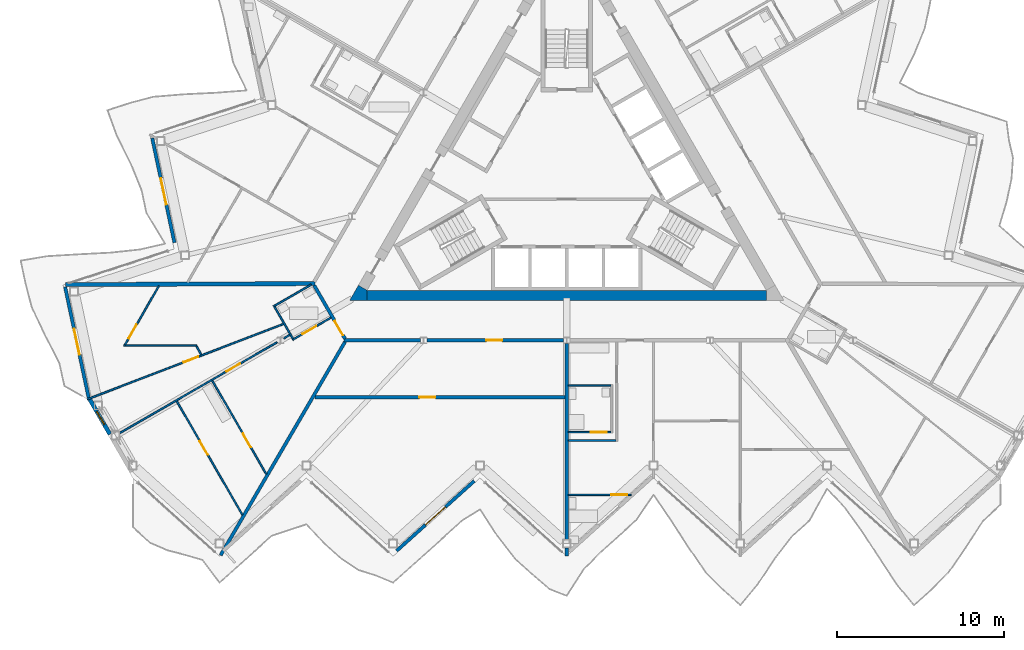
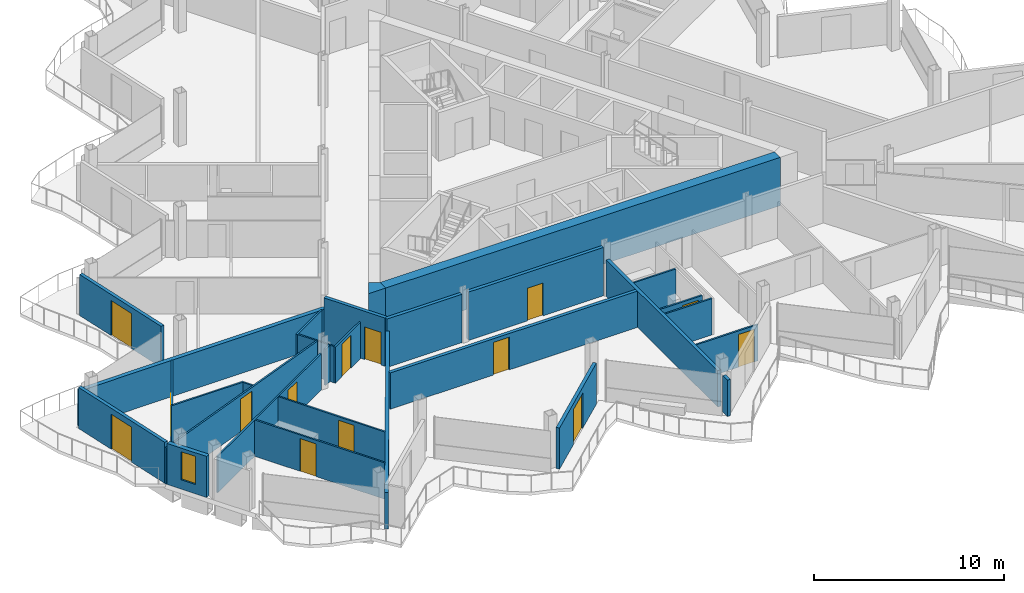
# One storey, part 13 of 27: 29 walls, 14 doors, 1 window, 15 openings.
"""IFC4 building model written with IfcOpenShell, lengths in metres."""

from ifc_helpers import new_model, si_unit, direction, frame, frame_2d, origin, place, context, subcontext, project, spatial, polyline, rectangle, outline, extrude, material, layer, layer_set, type_object, element, fill, save


model = new_model("IFC4")

# Units and contexts
model_context = context("Model", 3, precision=1e-05, world=origin(), true_north=direction((0.0, 1.0)))
body_context = subcontext(model_context, "Body", "Model", "MODEL_VIEW")
ifc_project = project(units=[si_unit("LENGTHUNIT", "METRE"), si_unit("AREAUNIT", "SQUARE_METRE"), si_unit("VOLUMEUNIT", "CUBIC_METRE"), si_unit("PLANEANGLEUNIT", "RADIAN"), si_unit("MASSUNIT", "GRAM", prefix="KILO")], contexts=[model_context])

# Site, building, storey
site_placement = place(None, origin())
site = spatial("IfcSite", under=ifc_project, at=site_placement, CompositionType="ELEMENT")
building_placement = place(site_placement, origin())
building = spatial("IfcBuilding", under=site, at=building_placement, Name="Cormorant Prow Tower", CompositionType="ELEMENT")
storey_placement = place(building_placement, frame((0.0, 0.0, 361.0)))
storey = spatial("IfcBuildingStorey", under=building, at=storey_placement, Name="L80", CompositionType="ELEMENT", Elevation=361.0)

# Walls
ifc_material_1 = material(Name="Concrete 8000 psi", Category="concrete")
ifc_layer_1 = layer(ifc_material_1, 0.60009765625)
ifc_layer_set_1 = layer_set([ifc_layer_1], Name="Concrete 8000 psi")
wall_type_1 = type_object("IfcWallType", Name="Core shear wall 600", PredefinedType="SHEAR", material=ifc_layer_set_1)
wall_1_placement = place(storey_placement, frame((-11.960693359375, -7.20556640625, 0.0), z_axis=(0.0, 0.0, 1.0), x_axis=(1.0, 0.0, 0.0)))
element("IfcWall", 1, at=wall_1_placement, inside=storey, type_object=wall_type_1, Name="Core wall", PredefinedType="SHEAR", context=body_context, shape_type="SweptSolid", body=[
    extrude(rectangle(XDim=23.92138671875, YDim=0.60009765625, at=frame_2d((11.960693359375, 0.0))), origin(), (0.0, 0.0, 1.0), 3.10009765625),
])
wall_2_placement = place(storey_placement, origin())
element("IfcWall", 2, at=wall_2_placement, inside=storey, type_object=wall_type_1, Name="Core wall corner", PredefinedType="SHEAR", context=body_context, shape_type="SweptSolid", body=[
    extrude(outline(polyline([(-12.48046875, -6.605712890625), (-11.960693359375, -6.905517578125), (-11.960693359375, -7.505615234375), (-13.0, -7.505615234375), (-12.48046875, -6.605712890625)])), origin(), (0.0, 0.0, 1.0), 3.10009765625),
])

# Wall, opening, door
ifc_material_2 = material(Name="Gypsum board corridor wall")
ifc_layer_2 = layer(ifc_material_2, 0.199951171875)
ifc_layer_set_2 = layer_set([ifc_layer_2], Name="Gypsum board corridor wall")
wall_type_2 = type_object("IfcWallType", Name="Corridor wall 200", PredefinedType="PARTITIONING", material=ifc_layer_set_2)
wall_3_placement = place(storey_placement, frame((-8.381591796875, -9.905517578125, 0.0), z_axis=(0.0, 0.0, 1.0), x_axis=(1.0, 0.0, 0.0)))
wall_3 = element("IfcWall", 3, at=wall_3_placement, inside=storey, type_object=wall_type_2, Name="Corridor wall", PredefinedType="PARTITIONING", context=body_context, shape_type="SweptSolid", body=[
    extrude(rectangle(XDim=8.1845703125, YDim=0.199951171875, at=frame_2d((4.09228515625, 0.0))), origin(), (0.0, 0.0, 1.0), 3.10009765625),
])
opening_1_placement = place(wall_3_placement, frame((3.56689453125, 0.0, 0.0)))
opening_1 = element("IfcOpeningElement", 4, at=opening_1_placement, cuts=wall_3, Name="Opening L80-F01", PredefinedType="OPENING", context=body_context, shape_type="SweptSolid", body=[
    extrude(rectangle(XDim=0.949951171875, YDim=2.10009765625, at=frame_2d((0.47509765625, 1.050048828125))), frame((0.0, 0.10986328125, 0.0), z_axis=(0.0, -1.0, 0.0), x_axis=(1.0, 0.0, 0.0)), (0.0, 0.0, 1.0), 0.219970703125),
])
ifc_material_3 = material(Name="Timber door leaf", Category="wood")
door_type_1 = type_object("IfcDoorType", Name="Store door 950x2100", OperationType="NOTDEFINED", PredefinedType="DOOR", material=ifc_material_3)
door_1_placement = place(opening_1_placement, origin())
door_1 = element("IfcDoor", 5, at=door_1_placement, inside=storey, type_object=door_type_1, Name="Refuse room door", OperationType="SINGLE_SWING_LEFT", OverallHeight=2.10009765625, OverallWidth=0.949951171875, PredefinedType="DOOR", context=body_context, shape_type="SweptSolid", body=[
    extrude(rectangle(XDim=0.949951171875, YDim=2.10009765625, at=frame_2d((0.47509765625, 1.050048828125))), frame((0.0, 0.02490234375, 0.0), z_axis=(0.0, -1.0, 0.0), x_axis=(1.0, 0.0, 0.0)), (0.0, 0.0, 1.0), 0.050048828125),
])
fill(opening_1, door_1)

# Wall
wall_4_placement = place(storey_placement, frame((-13.330810546875, -9.905517578125, 0.0), z_axis=(0.0, 0.0, 1.0), x_axis=(1.0, 0.0, 0.0)))
element("IfcWall", 6, at=wall_4_placement, inside=storey, type_object=wall_type_2, Name="Corridor wall", PredefinedType="PARTITIONING", context=body_context, shape_type="SweptSolid", body=[
    extrude(rectangle(XDim=4.555419921875, YDim=0.199951171875, at=frame_2d((2.27783203125, 0.0))), origin(), (0.0, 0.0, 1.0), 3.10009765625),
])

# Wall, opening, door
wall_5_placement = place(storey_placement, frame((-15.13134765625, -6.61376953125, 0.0), z_axis=(0.0, 0.0, 1.0), x_axis=(0.499948957823, -0.866054870994, 0.0)))
wall_5 = element("IfcWall", 7, at=wall_5_placement, inside=storey, type_object=wall_type_2, Name="Corridor wall", PredefinedType="PARTITIONING", context=body_context, shape_type="SweptSolid", body=[
    extrude(rectangle(XDim=3.701171875, YDim=0.199951171875, at=frame_2d((1.8505859375, 0.0))), origin(), (0.0, 0.0, 1.0), 3.10009765625),
])
opening_2_placement = place(wall_5_placement, frame((2.450927734375, 0.0, 0.0)))
opening_2 = element("IfcOpeningElement", 8, at=opening_2_placement, cuts=wall_5, Name="Opening L80-F45", PredefinedType="OPENING", context=body_context, shape_type="SweptSolid", body=[
    extrude(rectangle(XDim=1.0, YDim=2.10009765625, at=frame_2d((0.5, 1.050048828125))), frame((0.0, 0.10986328125, 0.0), z_axis=(0.0, -1.0, 0.0), x_axis=(1.0, 0.0, 0.0)), (0.0, 0.0, 1.0), 0.219970703125),
])
ifc_material_4 = material(Name="Timber door leaf", Category="wood")
door_type_2 = type_object("IfcDoorType", Name="Flat or room entrance door 1000x2100", OperationType="NOTDEFINED", PredefinedType="DOOR", material=ifc_material_4)
door_2_placement = place(opening_2_placement, origin())
door_2 = element("IfcDoor", 9, at=door_2_placement, inside=storey, type_object=door_type_2, Name="Living room door", OperationType="SINGLE_SWING_RIGHT", OverallHeight=2.10009765625, OverallWidth=1.0, PredefinedType="DOOR", context=body_context, shape_type="SweptSolid", body=[
    extrude(rectangle(XDim=1.0, YDim=2.10009765625, at=frame_2d((0.5, 1.050048828125))), frame((0.0, 0.02490234375, 0.0), z_axis=(0.0, -1.0, 0.0), x_axis=(1.0, 0.0, 0.0)), (0.0, 0.0, 1.0), 0.050048828125),
])
fill(opening_2, door_2)

ifc_material_5 = material(Name="Gypsum board demising wall")
ifc_layer_3 = layer(ifc_material_5, 0.199951171875)
ifc_layer_set_3 = layer_set([ifc_layer_3], Name="Gypsum board demising wall")
wall_type_3 = type_object("IfcWallType", Name="Demising wall 200", PredefinedType="PARTITIONING", material=ifc_layer_set_3)
wall_6_placement = place(storey_placement, frame((-15.093994140625, -13.3056640625, 0.0), z_axis=(0.0, 0.0, 1.0), x_axis=(1.0, 0.0, 0.0)))
wall_6 = element("IfcWall", 10, at=wall_6_placement, inside=storey, type_object=wall_type_3, Name="Demising wall", PredefinedType="PARTITIONING", context=body_context, shape_type="SweptSolid", body=[
    extrude(rectangle(XDim=14.993896484375, YDim=0.199951171875, at=frame_2d((7.4970703125, 0.0))), origin(), (0.0, 0.0, 1.0), 2.330078125),
])
opening_3_placement = place(wall_6_placement, frame((6.26953125, 0.0, 0.0)))
opening_3 = element("IfcOpeningElement", 11, at=opening_3_placement, cuts=wall_6, Name="Opening L80-F02", PredefinedType="OPENING", context=body_context, shape_type="SweptSolid", body=[
    extrude(rectangle(XDim=0.949951171875, YDim=2.10009765625, at=frame_2d((0.47509765625, 1.050048828125))), frame((0.0, 0.10986328125, 0.0), z_axis=(0.0, -1.0, 0.0), x_axis=(1.0, 0.0, 0.0)), (0.0, 0.0, 1.0), 0.219970703125),
])
door_3_placement = place(opening_3_placement, origin())
door_3 = element("IfcDoor", 12, at=door_3_placement, inside=storey, type_object=door_type_1, Name="Bicycle store door", OperationType="SINGLE_SWING_LEFT", OverallHeight=2.10009765625, OverallWidth=0.949951171875, PredefinedType="DOOR", context=body_context, shape_type="SweptSolid", body=[
    extrude(rectangle(XDim=0.949951171875, YDim=2.10009765625, at=frame_2d((0.47509765625, 1.050048828125))), frame((0.0, 0.02490234375, 0.0), z_axis=(0.0, -1.0, 0.0), x_axis=(1.0, 0.0, 0.0)), (0.0, 0.0, 1.0), 0.050048828125),
])
fill(opening_3, door_3)

# Walls
wall_7_placement = place(storey_placement, frame((-20.738525390625, -22.7841796875, 0.0), z_axis=(0.0, 0.0, 1.0), x_axis=(0.50362599185, 0.863921790635, 0.0)))
element("IfcWall", 13, at=wall_7_placement, inside=storey, type_object=wall_type_3, Name="Demising wall", PredefinedType="PARTITIONING", context=body_context, shape_type="SweptSolid", body=[
    extrude(rectangle(XDim=14.80712890625, YDim=0.199951171875, at=frame_2d((7.403564453125, 0.0))), origin(), (0.0, 0.0, 1.0), 2.330078125),
])
wall_8_placement = place(storey_placement, frame((0.0, -21.827880859375, 0.0), z_axis=(0.0, 0.0, 1.0), x_axis=(0.0, 1.0, 0.0)))
element("IfcWall", 14, at=wall_8_placement, inside=storey, type_object=wall_type_3, Name="Demising wall", PredefinedType="PARTITIONING", context=body_context, shape_type="SweptSolid", body=[
    extrude(rectangle(XDim=11.725341796875, YDim=0.199951171875, at=frame_2d((5.86279296875, 0.0))), origin(), (0.0, 0.0, 1.0), 2.330078125),
])
wall_9_placement = place(storey_placement, frame((0.0, -22.83935546875, 0.0), z_axis=(0.0, 0.0, 1.0), x_axis=(0.0, 1.0, 0.0)))
element("IfcWall", 15, at=wall_9_placement, inside=storey, type_object=wall_type_3, Name="Demising wall", PredefinedType="PARTITIONING", context=body_context, shape_type="SweptSolid", body=[
    extrude(rectangle(XDim=0.491455078125, YDim=0.199951171875, at=frame_2d((0.24560546875, 0.0))), origin(), (0.0, 0.0, 1.0), 2.330078125),
])

# Wall, opening, door
ifc_material_6 = material(Name="Gypsum board partition")
ifc_layer_4 = layer(ifc_material_6, 0.10009765625)
ifc_layer_set_4 = layer_set([ifc_layer_4], Name="Gypsum board partition")
wall_type_4 = type_object("IfcWallType", Name="Internal partition 100", PredefinedType="PARTITIONING", material=ifc_layer_set_4)
wall_10_placement = place(storey_placement, frame((-28.724609375, -13.43798828125, 0.0), z_axis=(0.0, 0.0, 1.0), x_axis=(0.933580312145, 0.358368247444, 0.0)))
wall_10 = element("IfcWall", 16, at=wall_10_placement, inside=storey, type_object=wall_type_4, Name="Internal partition", PredefinedType="PARTITIONING", context=body_context, shape_type="SweptSolid", body=[
    extrude(rectangle(XDim=12.589599609375, YDim=0.10009765625, at=frame_2d((6.294921875, 0.0))), origin(), (0.0, 0.0, 1.0), 2.330078125),
])
opening_4_placement = place(wall_10_placement, frame((6.171142578125, 0.0, 0.0)))
opening_4 = element("IfcOpeningElement", 17, at=opening_4_placement, cuts=wall_10, Name="Opening L80-F50", PredefinedType="OPENING", context=body_context, shape_type="SweptSolid", body=[
    extrude(rectangle(XDim=0.949951171875, YDim=2.10009765625, at=frame_2d((0.47509765625, 1.050048828125))), frame((0.0, 0.06005859375, 0.0), z_axis=(0.0, -1.0, 0.0), x_axis=(1.0, 0.0, 0.0)), (0.0, 0.0, 1.0), 0.1201171875),
])
ifc_material_7 = material(Name="Timber door leaf", Category="wood")
door_type_3 = type_object("IfcDoorType", Name="Bathroom door 950x2100", OperationType="NOTDEFINED", PredefinedType="DOOR", material=ifc_material_7)
door_4_placement = place(opening_4_placement, origin())
door_4 = element("IfcDoor", 18, at=door_4_placement, inside=storey, type_object=door_type_3, Name="Bedroom door", OperationType="SINGLE_SWING_RIGHT", OverallHeight=2.10009765625, OverallWidth=0.949951171875, PredefinedType="DOOR", context=body_context, shape_type="SweptSolid", body=[
    extrude(rectangle(XDim=0.949951171875, YDim=2.10009765625, at=frame_2d((0.47509765625, 1.050048828125))), frame((0.0, 0.02490234375, 0.0), z_axis=(0.0, -1.0, 0.0), x_axis=(1.0, 0.0, 0.0)), (0.0, 0.0, 1.0), 0.050048828125),
])
fill(opening_4, door_4)

wall_11_placement = place(storey_placement, frame((-26.77685546875, -15.459716796875, 0.0), z_axis=(0.0, 0.0, 1.0), x_axis=(0.866019680922, 0.500009912158, 0.0)))
wall_11 = element("IfcWall", 19, at=wall_11_placement, inside=storey, type_object=wall_type_4, Name="Internal partition", PredefinedType="PARTITIONING", context=body_context, shape_type="SweptSolid", body=[
    extrude(rectangle(XDim=10.880615234375, YDim=0.10009765625, at=frame_2d((5.4404296875, 0.0))), origin(), (0.0, 0.0, 1.0), 2.330078125),
])
opening_5_placement = place(wall_11_placement, frame((7.373291015625, 0.0, 0.0)))
opening_5 = element("IfcOpeningElement", 20, at=opening_5_placement, cuts=wall_11, Name="Opening L80-F49", PredefinedType="OPENING", context=body_context, shape_type="SweptSolid", body=[
    extrude(rectangle(XDim=0.949951171875, YDim=2.10009765625, at=frame_2d((0.47509765625, 1.050048828125))), frame((0.0, 0.06005859375, 0.0), z_axis=(0.0, -1.0, 0.0), x_axis=(1.0, 0.0, 0.0)), (0.0, 0.0, 1.0), 0.1201171875),
])
door_5_placement = place(opening_5_placement, origin())
door_5 = element("IfcDoor", 21, at=door_5_placement, inside=storey, type_object=door_type_3, Name="Living room door", OperationType="SINGLE_SWING_LEFT", OverallHeight=2.10009765625, OverallWidth=0.949951171875, PredefinedType="DOOR", context=body_context, shape_type="SweptSolid", body=[
    extrude(rectangle(XDim=0.949951171875, YDim=2.10009765625, at=frame_2d((0.47509765625, 1.050048828125))), frame((0.0, 0.02490234375, 0.0), z_axis=(0.0, -1.0, 0.0), x_axis=(1.0, 0.0, 0.0)), (0.0, 0.0, 1.0), 0.050048828125),
])
fill(opening_5, door_5)

wall_12_placement = place(storey_placement, frame((-23.365234375, -13.547607421875, 0.0), z_axis=(0.0, 0.0, 1.0), x_axis=(0.500011483804, -0.866018773506, 0.0)))
wall_12 = element("IfcWall", 22, at=wall_12_placement, inside=storey, type_object=wall_type_4, Name="Internal partition", PredefinedType="PARTITIONING", context=body_context, shape_type="SweptSolid", body=[
    extrude(rectangle(XDim=7.872314453125, YDim=0.10009765625, at=frame_2d((3.93603515625, 0.0))), origin(), (0.0, 0.0, 1.0), 2.330078125),
])
opening_6_placement = place(wall_12_placement, frame((2.7587890625, 0.0, 0.0)))
opening_6 = element("IfcOpeningElement", 23, at=opening_6_placement, cuts=wall_12, Name="Opening L80-F48", PredefinedType="OPENING", context=body_context, shape_type="SweptSolid", body=[
    extrude(rectangle(XDim=0.949951171875, YDim=2.10009765625, at=frame_2d((0.47509765625, 1.050048828125))), frame((0.0, 0.06005859375, 0.0), z_axis=(0.0, -1.0, 0.0), x_axis=(1.0, 0.0, 0.0)), (0.0, 0.0, 1.0), 0.1201171875),
])
door_6_placement = place(opening_6_placement, origin())
door_6 = element("IfcDoor", 24, at=door_6_placement, inside=storey, type_object=door_type_3, Name="Kitchen door", OperationType="SINGLE_SWING_RIGHT", OverallHeight=2.10009765625, OverallWidth=0.949951171875, PredefinedType="DOOR", context=body_context, shape_type="SweptSolid", body=[
    extrude(rectangle(XDim=0.949951171875, YDim=2.10009765625, at=frame_2d((0.47509765625, 1.050048828125))), frame((0.0, 0.02490234375, 0.0), z_axis=(0.0, -1.0, 0.0), x_axis=(1.0, 0.0, 0.0)), (0.0, 0.0, 1.0), 0.050048828125),
])
fill(opening_6, door_6)

wall_13_placement = place(storey_placement, frame((-21.2353515625, -12.318115234375, 0.0), z_axis=(0.0, 0.0, 1.0), x_axis=(0.500008973052, -0.866020223129, 0.0)))
wall_13 = element("IfcWall", 25, at=wall_13_placement, inside=storey, type_object=wall_type_4, Name="Internal partition", PredefinedType="PARTITIONING", context=body_context, shape_type="SweptSolid", body=[
    extrude(rectangle(XDim=6.46630859375, YDim=0.10009765625, at=frame_2d((3.233154296875, 0.0))), origin(), (0.0, 0.0, 1.0), 2.330078125),
])
opening_7_placement = place(wall_13_placement, frame((3.6611328125, 0.0, 0.0)))
opening_7 = element("IfcOpeningElement", 26, at=opening_7_placement, cuts=wall_13, Name="Opening L80-F47", PredefinedType="OPENING", context=body_context, shape_type="SweptSolid", body=[
    extrude(rectangle(XDim=0.949951171875, YDim=2.10009765625, at=frame_2d((0.47509765625, 1.050048828125))), frame((0.0, 0.06005859375, 0.0), z_axis=(0.0, -1.0, 0.0), x_axis=(1.0, 0.0, 0.0)), (0.0, 0.0, 1.0), 0.1201171875),
])
door_7_placement = place(opening_7_placement, origin())
door_7 = element("IfcDoor", 27, at=door_7_placement, inside=storey, type_object=door_type_3, Name="Living room door", OperationType="SINGLE_SWING_LEFT", OverallHeight=2.10009765625, OverallWidth=0.949951171875, PredefinedType="DOOR", context=body_context, shape_type="SweptSolid", body=[
    extrude(rectangle(XDim=0.949951171875, YDim=2.10009765625, at=frame_2d((0.47509765625, 1.050048828125))), frame((0.0, 0.02490234375, 0.0), z_axis=(0.0, -1.0, 0.0), x_axis=(1.0, 0.0, 0.0)), (0.0, 0.0, 1.0), 0.050048828125),
])
fill(opening_7, door_7)

# Wall
wall_14_placement = place(storey_placement, frame((-26.548583984375, -10.2216796875, 0.0), z_axis=(0.0, 0.0, 1.0), x_axis=(1.0, 0.0, 0.0)))
element("IfcWall", 28, at=wall_14_placement, inside=storey, type_object=wall_type_4, Name="Internal partition", PredefinedType="PARTITIONING", context=body_context, shape_type="SweptSolid", body=[
    extrude(rectangle(XDim=4.390869140625, YDim=0.10009765625, at=frame_2d((2.1953125, 0.0))), origin(), (0.0, 0.0, 1.0), 2.330078125),
])

# Wall, opening, door
wall_15_placement = place(storey_placement, frame((-26.4736328125, -10.17822265625, 0.0), z_axis=(0.0, 0.0, 1.0), x_axis=(0.499995835917, 0.866027807905, 0.0)))
wall_15 = element("IfcWall", 29, at=wall_15_placement, inside=storey, type_object=wall_type_4, Name="Internal partition", PredefinedType="PARTITIONING", context=body_context, shape_type="SweptSolid", body=[
    extrude(rectangle(XDim=4.0712890625, YDim=0.10009765625, at=frame_2d((2.03564453125, 0.0))), origin(), (0.0, 0.0, 1.0), 2.330078125),
])
opening_8_placement = place(wall_15_placement, frame((0.45166015625, 0.0, 0.0)))
opening_8 = element("IfcOpeningElement", 30, at=opening_8_placement, cuts=wall_15, Name="Opening L80-F51", PredefinedType="OPENING", context=body_context, shape_type="SweptSolid", body=[
    extrude(rectangle(XDim=0.949951171875, YDim=2.10009765625, at=frame_2d((0.47509765625, 1.050048828125))), frame((0.0, 0.06005859375, 0.0), z_axis=(0.0, -1.0, 0.0), x_axis=(1.0, 0.0, 0.0)), (0.0, 0.0, 1.0), 0.1201171875),
])
door_8_placement = place(opening_8_placement, origin())
door_8 = element("IfcDoor", 31, at=door_8_placement, inside=storey, type_object=door_type_3, Name="Bedroom door", OperationType="SINGLE_SWING_LEFT", OverallHeight=2.10009765625, OverallWidth=0.949951171875, PredefinedType="DOOR", context=body_context, shape_type="SweptSolid", body=[
    extrude(rectangle(XDim=0.949951171875, YDim=2.10009765625, at=frame_2d((0.47509765625, 1.050048828125))), frame((0.0, 0.02490234375, 0.0), z_axis=(0.0, -1.0, 0.0), x_axis=(1.0, 0.0, 0.0)), (0.0, 0.0, 1.0), 0.050048828125),
])
fill(opening_8, door_8)

wall_16_placement = place(storey_placement, frame((0.10009765625, -19.164306640625, 0.0), z_axis=(0.0, 0.0, 1.0), x_axis=(1.0, 0.0, 0.0)))
wall_16 = element("IfcWall", 32, at=wall_16_placement, inside=storey, type_object=wall_type_4, Name="Internal partition", PredefinedType="PARTITIONING", context=body_context, shape_type="SweptSolid", body=[
    extrude(rectangle(XDim=3.75146484375, YDim=0.10009765625, at=frame_2d((1.875732421875, 0.0))), origin(), (0.0, 0.0, 1.0), 2.330078125),
])
opening_9_placement = place(wall_16_placement, frame((2.5791015625, 0.0, 0.0)))
opening_9 = element("IfcOpeningElement", 33, at=opening_9_placement, cuts=wall_16, Name="Opening L80-F04", PredefinedType="OPENING", context=body_context, shape_type="SweptSolid", body=[
    extrude(rectangle(XDim=0.949951171875, YDim=2.10009765625, at=frame_2d((0.47509765625, 1.050048828125))), frame((0.0, 0.06005859375, 0.0), z_axis=(0.0, -1.0, 0.0), x_axis=(1.0, 0.0, 0.0)), (0.0, 0.0, 1.0), 0.1201171875),
])
door_9_placement = place(opening_9_placement, origin())
door_9 = element("IfcDoor", 34, at=door_9_placement, inside=storey, type_object=door_type_3, Name="Living room door", OperationType="SINGLE_SWING_RIGHT", OverallHeight=2.10009765625, OverallWidth=0.949951171875, PredefinedType="DOOR", context=body_context, shape_type="SweptSolid", body=[
    extrude(rectangle(XDim=0.949951171875, YDim=2.10009765625, at=frame_2d((0.47509765625, 1.050048828125))), frame((0.0, 0.02490234375, 0.0), z_axis=(0.0, -1.0, 0.0), x_axis=(1.0, 0.0, 0.0)), (0.0, 0.0, 1.0), 0.050048828125),
])
fill(opening_9, door_9)

# Walls
wall_17_placement = place(storey_placement, frame((0.10009765625, -15.905517578125, 0.0), z_axis=(0.0, 0.0, 1.0), x_axis=(1.0, 0.0, 0.0)))
element("IfcWall", 35, at=wall_17_placement, inside=storey, type_object=wall_type_4, Name="Internal partition", PredefinedType="PARTITIONING", context=body_context, shape_type="SweptSolid", body=[
    extrude(rectangle(XDim=2.849853515625, YDim=0.10009765625, at=frame_2d((1.4248046875, 0.0))), origin(), (0.0, 0.0, 1.0), 2.330078125),
])
wall_18_placement = place(storey_placement, frame((0.10009765625, -12.605712890625, 0.0), z_axis=(0.0, 0.0, 1.0), x_axis=(1.0, 0.0, 0.0)))
element("IfcWall", 36, at=wall_18_placement, inside=storey, type_object=wall_type_4, Name="Internal partition", PredefinedType="PARTITIONING", context=body_context, shape_type="SweptSolid", body=[
    extrude(rectangle(XDim=2.5498046875, YDim=0.10009765625, at=frame_2d((1.27490234375, 0.0))), origin(), (0.0, 0.0, 1.0), 2.330078125),
])

# Wall, opening, door
wall_19_placement = place(storey_placement, frame((0.10009765625, -15.405517578125, 0.0), z_axis=(0.0, 0.0, 1.0), x_axis=(1.0, 0.0, 0.0)))
wall_19 = element("IfcWall", 37, at=wall_19_placement, inside=storey, type_object=wall_type_4, Name="Internal partition", PredefinedType="PARTITIONING", context=body_context, shape_type="SweptSolid", body=[
    extrude(rectangle(XDim=2.5498046875, YDim=0.10009765625, at=frame_2d((1.27490234375, 0.0))), origin(), (0.0, 0.0, 1.0), 2.330078125),
])
opening_10_placement = place(wall_19_placement, frame((1.35009765625, 0.0, 0.0)))
opening_10 = element("IfcOpeningElement", 38, at=opening_10_placement, cuts=wall_19, Name="Opening L80-F10", PredefinedType="OPENING", context=body_context, shape_type="SweptSolid", body=[
    extrude(rectangle(XDim=0.949951171875, YDim=2.10009765625, at=frame_2d((0.47509765625, 1.050048828125))), frame((0.0, 0.06005859375, 0.0), z_axis=(0.0, -1.0, 0.0), x_axis=(1.0, 0.0, 0.0)), (0.0, 0.0, 1.0), 0.1201171875),
])
door_10_placement = place(opening_10_placement, origin())
door_10 = element("IfcDoor", 39, at=door_10_placement, inside=storey, type_object=door_type_3, Name="Kitchen door", OperationType="SINGLE_SWING_RIGHT", OverallHeight=2.10009765625, OverallWidth=0.949951171875, PredefinedType="DOOR", context=body_context, shape_type="SweptSolid", body=[
    extrude(rectangle(XDim=0.949951171875, YDim=2.10009765625, at=frame_2d((0.47509765625, 1.050048828125))), frame((0.0, 0.02490234375, 0.0), z_axis=(0.0, -1.0, 0.0), x_axis=(1.0, 0.0, 0.0)), (0.0, 0.0, 1.0), 0.050048828125),
])
fill(opening_10, door_10)

# Wall
wall_20_placement = place(storey_placement, frame((-17.575439453125, -7.880615234375, 0.0), z_axis=(0.0, 0.0, 1.0), x_axis=(0.866013657776, 0.500020344131, 0.0)))
element("IfcWall", 40, at=wall_20_placement, inside=storey, type_object=wall_type_4, Name="Internal partition", PredefinedType="PARTITIONING", context=body_context, shape_type="SweptSolid", body=[
    extrude(rectangle(XDim=2.625, YDim=0.10009765625, at=frame_2d((1.3125, 0.0))), origin(), (0.0, 0.0, 1.0), 2.330078125),
])

# Wall, opening, door
wall_21_placement = place(storey_placement, frame((-16.425537109375, -9.872314453125, 0.0), z_axis=(0.0, 0.0, 1.0), x_axis=(0.866029095148, 0.499993606316, 0.0)))
wall_21 = element("IfcWall", 41, at=wall_21_placement, inside=storey, type_object=wall_type_4, Name="Internal partition", PredefinedType="PARTITIONING", context=body_context, shape_type="SweptSolid", body=[
    extrude(rectangle(XDim=2.64990234375, YDim=0.10009765625, at=frame_2d((1.324951171875, 0.0))), origin(), (0.0, 0.0, 1.0), 2.330078125),
])
opening_11_placement = place(wall_21_placement, frame((0.686279296875, 0.0, 0.0)))
opening_11 = element("IfcOpeningElement", 42, at=opening_11_placement, cuts=wall_21, Name="Opening L80-F46", PredefinedType="OPENING", context=body_context, shape_type="SweptSolid", body=[
    extrude(rectangle(XDim=0.949951171875, YDim=2.10009765625, at=frame_2d((0.47509765625, 1.050048828125))), frame((0.0, 0.06005859375, 0.0), z_axis=(0.0, -1.0, 0.0), x_axis=(1.0, 0.0, 0.0)), (0.0, 0.0, 1.0), 0.1201171875),
])
door_11_placement = place(opening_11_placement, origin())
door_11 = element("IfcDoor", 43, at=door_11_placement, inside=storey, type_object=door_type_3, Name="Living room door", OperationType="SINGLE_SWING_LEFT", OverallHeight=2.10009765625, OverallWidth=0.949951171875, PredefinedType="DOOR", context=body_context, shape_type="SweptSolid", body=[
    extrude(rectangle(XDim=0.949951171875, YDim=2.10009765625, at=frame_2d((0.47509765625, 1.050048828125))), frame((0.0, 0.02490234375, 0.0), z_axis=(0.0, -1.0, 0.0), x_axis=(1.0, 0.0, 0.0)), (0.0, 0.0, 1.0), 0.050048828125),
])
fill(opening_11, door_11)

# Walls
wall_22_placement = place(storey_placement, frame((-17.507080078125, -7.89892578125, 0.0), z_axis=(0.0, 0.0, 1.0), x_axis=(0.499946605688, -0.86605622881, 0.0)))
element("IfcWall", 44, at=wall_22_placement, inside=storey, type_object=wall_type_4, Name="Internal partition", PredefinedType="PARTITIONING", context=body_context, shape_type="SweptSolid", body=[
    extrude(rectangle(XDim=2.199951171875, YDim=0.10009765625, at=frame_2d((1.10009765625, 0.0))), origin(), (0.0, 0.0, 1.0), 2.330078125),
])
wall_23_placement = place(storey_placement, frame((-22.182861328125, -10.264892578125, 0.0), z_axis=(0.0, 0.0, 1.0), x_axis=(0.500016142392, -0.86601608377, 0.0)))
element("IfcWall", 45, at=wall_23_placement, inside=storey, type_object=wall_type_4, Name="Internal partition", PredefinedType="PARTITIONING", context=body_context, shape_type="SweptSolid", body=[
    extrude(rectangle(XDim=0.57568359375, YDim=0.10009765625, at=frame_2d((0.287841796875, 0.0))), origin(), (0.0, 0.0, 1.0), 2.330078125),
])
wall_24_placement = place(storey_placement, frame((-16.9599609375, -9.791748046875, 0.0), z_axis=(0.0, 0.0, 1.0), x_axis=(0.866137484628, 0.499805820016, 0.0)))
element("IfcWall", 46, at=wall_24_placement, inside=storey, type_object=wall_type_4, Name="Internal partition", PredefinedType="PARTITIONING", context=body_context, shape_type="SweptSolid", body=[
    extrude(rectangle(XDim=0.422607421875, YDim=0.10009765625, at=frame_2d((0.21142578125, 0.0))), origin(), (0.0, 0.0, 1.0), 2.330078125),
])
ifc_material_8 = material(Name="Acoustic gypsum party wall")
ifc_layer_5 = layer(ifc_material_8, 0.25)
ifc_layer_set_5 = layer_set([ifc_layer_5], Name="Acoustic gypsum party wall")
wall_type_5 = type_object("IfcWallType", Name="Suite party wall 250", PredefinedType="PARTITIONING", material=ifc_layer_set_5)
wall_25_placement = place(storey_placement, frame((-30.041259765625, -6.56787109375, 0.0), z_axis=(0.0, 0.0, 1.0), x_axis=(0.999991150877, 0.004206918925, 0.0)))
element("IfcWall", 47, at=wall_25_placement, inside=storey, type_object=wall_type_5, Name="Suite party wall", PredefinedType="PARTITIONING", context=body_context, shape_type="SweptSolid", body=[
    extrude(rectangle(XDim=14.97265625, YDim=0.25, at=frame_2d((7.486328125, 0.0))), origin(), (0.0, 0.0, 1.0), 2.330078125),
])

# Wall, opening, window
ifc_material_9 = material(Name="Terracotta", Category="masonry")
ifc_layer_6 = layer(ifc_material_9, 0.25)
ifc_layer_set_6 = layer_set([ifc_layer_6], Name="Terracotta")
wall_type_6 = type_object("IfcWallType", Name="Terracotta bay wall 250", PredefinedType="SOLIDWALL", material=ifc_layer_set_6)
wall_26_placement = place(storey_placement, frame((-28.5732421875, -13.4501953125, 0.0), z_axis=(0.0, 0.0, 1.0), x_axis=(0.499969057507, -0.866043267704, 0.0)))
wall_26 = element("IfcWall", 48, at=wall_26_placement, inside=storey, type_object=wall_type_6, Name="Terracotta bay wall WSW00", PredefinedType="SOLIDWALL", context=body_context, shape_type="SweptSolid", body=[
    extrude(rectangle(XDim=2.399658203125, YDim=0.25, at=frame_2d((1.19970703125, 0.0))), origin(), (0.0, 0.0, 1.0), 2.6337890625),
])
opening_12_placement = place(wall_26_placement, frame((0.829833984375, 0.0, 0.60009765625)))
opening_12 = element("IfcOpeningElement", 49, at=opening_12_placement, cuts=wall_26, Name="Opening WN9", PredefinedType="OPENING", context=body_context, shape_type="SweptSolid", body=[
    extrude(rectangle(XDim=0.89990234375, YDim=1.800048828125, at=frame_2d((0.449951171875, 0.89990234375))), frame((0.0, 0.135009765625, 0.0), z_axis=(0.0, -1.0, 0.0), x_axis=(1.0, 0.0, 0.0)), (0.0, 0.0, 1.0), 0.27001953125),
])
ifc_material_10 = material(Name="Aluminium 6063-T6", Category="aluminium")
window_type = type_object("IfcWindowType", Name="Corner bay window 900x1800", PartitioningType="SINGLE_PANEL", PredefinedType="WINDOW", material=ifc_material_10)
window_placement = place(opening_12_placement, origin())
window = element("IfcWindow", 50, at=window_placement, inside=storey, type_object=window_type, Name="Corner bay window WSW00", OverallHeight=1.800048828125, OverallWidth=0.89990234375, PartitioningType="SINGLE_PANEL", PredefinedType="WINDOW", context=body_context, shape_type="SweptSolid", body=[
    extrude(rectangle(XDim=0.89990234375, YDim=1.800048828125, at=frame_2d((0.449951171875, 0.89990234375))), frame((0.0, 0.030029296875, 0.0), z_axis=(0.0, -1.0, 0.0), x_axis=(1.0, 0.0, 0.0)), (0.0, 0.0, 1.0), 0.06005859375),
])
fill(opening_12, window)

# Wall, opening, door
ifc_material_11 = material(Name="Terracotta", Category="masonry")
ifc_layer_7 = layer(ifc_material_11, 0.199951171875)
ifc_layer_set_7 = layer_set([ifc_layer_7], Name="Terracotta")
wall_type_7 = type_object("IfcWallType", Name="Terracotta jamb wall 200", PredefinedType="SOLIDWALL", material=ifc_layer_set_7)
wall_27_placement = place(storey_placement, frame((-10.19482421875, -22.520263671875, 0.0), z_axis=(0.0, 0.0, 1.0), x_axis=(0.743137181878, 0.669139095339, 0.0)))
wall_27 = element("IfcWall", 51, at=wall_27_placement, inside=storey, type_object=wall_type_7, Name="Terracotta jamb wall S03", PredefinedType="SOLIDWALL", context=body_context, shape_type="SweptSolid", body=[
    extrude(rectangle(XDim=6.265380859375, YDim=0.199951171875, at=frame_2d((3.1328125, 0.0))), origin(), (0.0, 0.0, 1.0), 2.6337890625),
])
opening_13_placement = place(wall_27_placement, frame((2.332763671875, 0.0, 0.0)))
opening_13 = element("IfcOpeningElement", 52, at=opening_13_placement, cuts=wall_27, Name="Opening ED80.02", PredefinedType="OPENING", context=body_context, shape_type="SweptSolid", body=[
    extrude(rectangle(XDim=1.60009765625, YDim=2.25, at=frame_2d((0.800048828125, 1.125))), frame((0.0, 0.10986328125, 0.0), z_axis=(0.0, -1.0, 0.0), x_axis=(1.0, 0.0, 0.0)), (0.0, 0.0, 1.0), 0.219970703125),
])
ifc_material_12 = material(Name="Aluminium 6063-T6", Category="aluminium")
door_type_4 = type_object("IfcDoorType", Name="Balcony door 1600x2250", OperationType="DOUBLE_DOOR_SINGLE_SWING", PredefinedType="DOOR", material=ifc_material_12)
door_12_placement = place(opening_13_placement, origin())
door_12 = element("IfcDoor", 53, at=door_12_placement, inside=storey, type_object=door_type_4, Name="Balcony door S03 ED80.02", OperationType="DOUBLE_DOOR_SINGLE_SWING", OverallHeight=2.25, OverallWidth=1.60009765625, PredefinedType="DOOR", context=body_context, shape_type="SweptSolid", body=[
    extrude(rectangle(XDim=1.60009765625, YDim=2.25, at=frame_2d((0.800048828125, 1.125))), frame((0.0, 0.02490234375, 0.0), z_axis=(0.0, -1.0, 0.0), x_axis=(1.0, 0.0, 0.0)), (0.0, 0.0, 1.0), 0.050048828125),
])
fill(opening_13, door_12)

wall_28_placement = place(storey_placement, frame((-24.833984375, 2.20947265625, 0.0), z_axis=(0.0, 0.0, 1.0), x_axis=(0.20791668045, -0.978146540142, 0.0)))
wall_28 = element("IfcWall", 54, at=wall_28_placement, inside=storey, type_object=wall_type_7, Name="Terracotta jamb wall WNW07", PredefinedType="SOLIDWALL", context=body_context, shape_type="SweptSolid", body=[
    extrude(rectangle(XDim=6.40185546875, YDim=0.199951171875, at=frame_2d((3.200927734375, 0.0))), origin(), (0.0, 0.0, 1.0), 2.6337890625),
])
opening_14_placement = place(wall_28_placement, frame((2.46923828125, 0.0, 0.0)))
opening_14 = element("IfcOpeningElement", 55, at=opening_14_placement, cuts=wall_28, Name="Opening ED80.14", PredefinedType="OPENING", context=body_context, shape_type="SweptSolid", body=[
    extrude(rectangle(XDim=1.60009765625, YDim=2.25, at=frame_2d((0.800048828125, 1.125))), frame((0.0, 0.10986328125, 0.0), z_axis=(0.0, -1.0, 0.0), x_axis=(1.0, 0.0, 0.0)), (0.0, 0.0, 1.0), 0.219970703125),
])
door_13_placement = place(opening_14_placement, origin())
door_13 = element("IfcDoor", 56, at=door_13_placement, inside=storey, type_object=door_type_4, Name="Balcony door WNW07 ED80.14", OperationType="DOUBLE_DOOR_SINGLE_SWING", OverallHeight=2.25, OverallWidth=1.60009765625, PredefinedType="DOOR", context=body_context, shape_type="SweptSolid", body=[
    extrude(rectangle(XDim=1.60009765625, YDim=2.25, at=frame_2d((0.800048828125, 1.125))), frame((0.0, 0.02490234375, 0.0), z_axis=(0.0, -1.0, 0.0), x_axis=(1.0, 0.0, 0.0)), (0.0, 0.0, 1.0), 0.050048828125),
])
fill(opening_14, door_13)

wall_29_placement = place(storey_placement, frame((-30.052734375, -6.709228515625, 0.0), z_axis=(0.0, 0.0, 1.0), x_axis=(0.207917767315, -0.978146309115, 0.0)))
wall_29 = element("IfcWall", 57, at=wall_29_placement, inside=storey, type_object=wall_type_7, Name="Terracotta jamb wall WNW09", PredefinedType="SOLIDWALL", context=body_context, shape_type="SweptSolid", body=[
    extrude(rectangle(XDim=6.77880859375, YDim=0.199951171875, at=frame_2d((3.389404296875, 0.0))), origin(), (0.0, 0.0, 1.0), 2.6337890625),
])
opening_15_placement = place(wall_29_placement, frame((2.559326171875, 0.0, 0.0)))
opening_15 = element("IfcOpeningElement", 58, at=opening_15_placement, cuts=wall_29, Name="Opening ED80.15", PredefinedType="OPENING", context=body_context, shape_type="SweptSolid", body=[
    extrude(rectangle(XDim=1.60009765625, YDim=2.25, at=frame_2d((0.800048828125, 1.125))), frame((0.0, 0.10986328125, 0.0), z_axis=(0.0, -1.0, 0.0), x_axis=(1.0, 0.0, 0.0)), (0.0, 0.0, 1.0), 0.219970703125),
])
door_14_placement = place(opening_15_placement, origin())
door_14 = element("IfcDoor", 59, at=door_14_placement, inside=storey, type_object=door_type_4, Name="Balcony door WNW09 ED80.15", OperationType="DOUBLE_DOOR_SINGLE_SWING", OverallHeight=2.25, OverallWidth=1.60009765625, PredefinedType="DOOR", context=body_context, shape_type="SweptSolid", body=[
    extrude(rectangle(XDim=1.60009765625, YDim=2.25, at=frame_2d((0.800048828125, 1.125))), frame((0.0, 0.02490234375, 0.0), z_axis=(0.0, -1.0, 0.0), x_axis=(1.0, 0.0, 0.0)), (0.0, 0.0, 1.0), 0.050048828125),
])
fill(opening_15, door_14)

save(model, "model.ifc")
